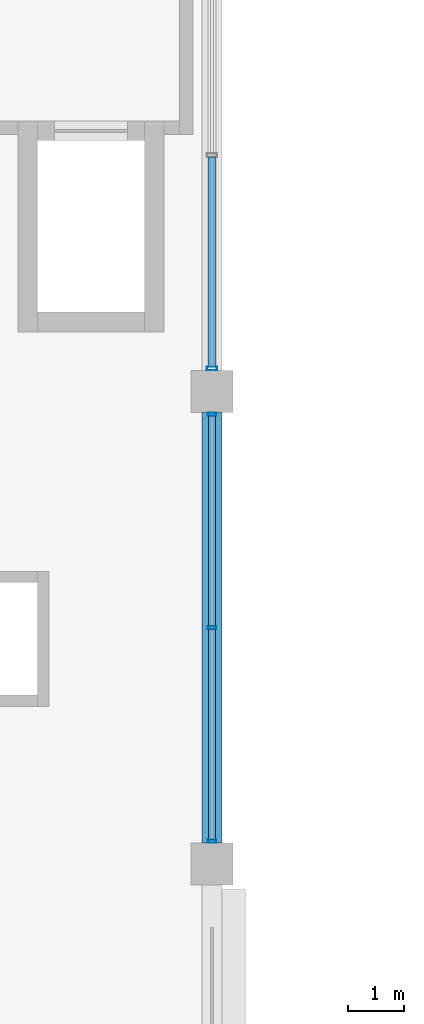
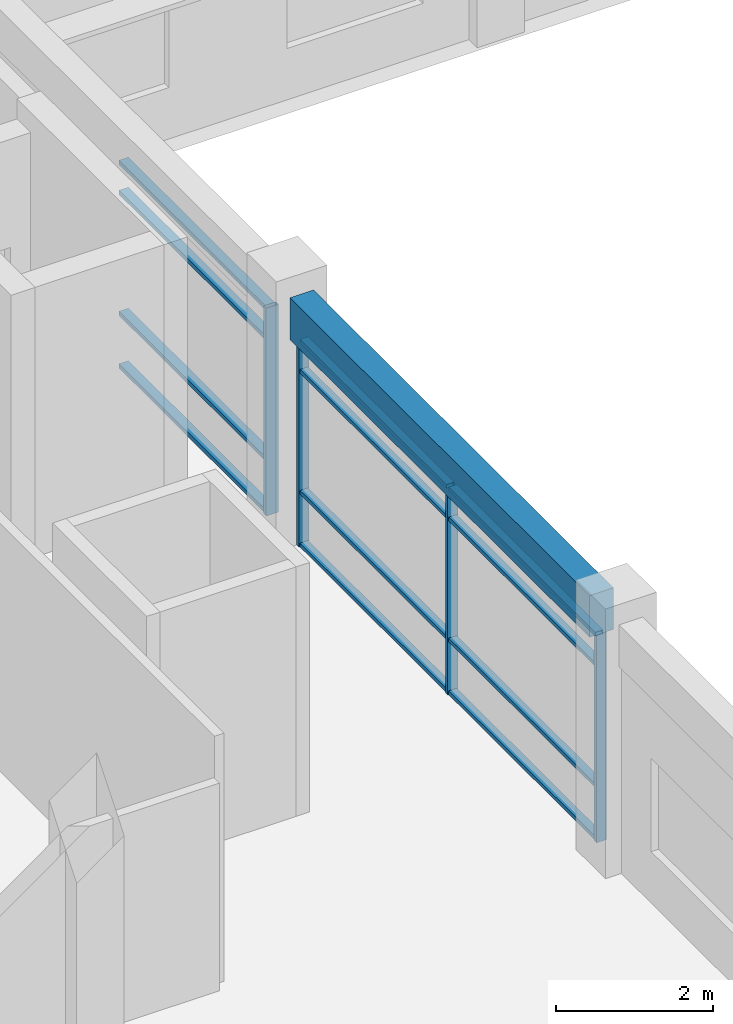
# One storey, part 2 of 53: 16 members, 1 beam, 2 elements without a shape of their own.
"""IFC4 building model written with IfcOpenShell, lengths in metres."""

import ifcopenshell
import ifcopenshell.guid

model = None  # the IFC model being written
_history = None  # IfcOwnerHistory: only IFC2X3 demands one
_inside = {}  # id of a spatial element -> (the spatial element, [elements in it])
_under = {}  # id of a project, library or spatial element -> (it, [spatial elements below it])
_declared = {}  # id of a project -> (the project, [libraries it declares])
_typed = {}  # id of a type object -> (the type object, [elements of that type])
_made_of = {}  # id of a material, layer set ... -> (it, [elements and type objects made of it])


def new_model(schema):
    """Start an empty IFC model of exactly this schema.

    Asked for "IFC4X3", IfcOpenShell would pick the latest addendum, in which some entities
    have other attributes; the version numbers below select the first issue.
    IFC2X3 requires an IfcOwnerHistory on every rooted entity: one is made here for all.
    """
    global model, _history
    if schema == "IFC4X3":
        model = ifcopenshell.file(schema_version=(4, 3, 0, 0))
    else:
        model = ifcopenshell.file(schema=schema)
    _inside.clear()
    _under.clear()
    _declared.clear()
    _typed.clear()
    _made_of.clear()
    _history = None
    if model.schema == "IFC2X3":
        org = make("IfcOrganization", Name="unknown")
        user = make(
            "IfcPersonAndOrganization",
            ThePerson=make("IfcPerson", FamilyName="unknown"),
            TheOrganization=org,
        )
        app = make(
            "IfcApplication",
            ApplicationDeveloper=org,
            Version="unknown",
            ApplicationFullName="unknown",
            ApplicationIdentifier="unknown",
        )
        _history = make(
            "IfcOwnerHistory",
            OwningUser=user,
            OwningApplication=app,
            ChangeAction="ADDED",
            CreationDate=0,
        )
    return model


def make(cls, **values):
    """One entity of the class cls with the attributes given. An attribute that is None is left unset."""
    return model.create_entity(
        cls, **{name: value for name, value in values.items() if value is not None}
    )


def rooted(cls, **values):
    """An entity with a GlobalId (a new one), such as an element, a storey or a relation."""
    return make(cls, GlobalId=ifcopenshell.guid.new(), OwnerHistory=_history, **values)


def si_unit(unit_type, name, prefix=None):
    """IfcSIUnit, for example si_unit("LENGTHUNIT", "METRE", prefix="MILLI")."""
    return make("IfcSIUnit", UnitType=unit_type, Prefix=prefix, Name=name)


def assignment(units):
    """IfcUnitAssignment: the units of a project."""
    return None if units is None else make("IfcUnitAssignment", Units=units)


def point(xyz):
    """IfcCartesianPoint."""
    return None if xyz is None else make("IfcCartesianPoint", Coordinates=xyz)


def direction(xyz):
    """IfcDirection."""
    return None if xyz is None else make("IfcDirection", DirectionRatios=xyz)


def frame(location, z_axis=None, x_axis=None):
    """IfcAxis2Placement3D, a coordinate frame: its origin and axes. An axis left out is left unset."""
    return make(
        "IfcAxis2Placement3D",
        Location=point(location),
        Axis=direction(z_axis),
        RefDirection=direction(x_axis),
    )


def frame_2d(location, x_axis=None):
    """IfcAxis2Placement2D, a coordinate frame in the plane: its origin and x axis."""
    return make(
        "IfcAxis2Placement2D", Location=point(location), RefDirection=direction(x_axis)
    )


def origin():
    """The frame at (0, 0, 0) with its axes left unset."""
    return frame((0.0, 0.0, 0.0))


def origin_2d():
    """The frame at (0, 0) in the plane with its x axis left unset."""
    return frame_2d((0.0, 0.0))


def place(relative_to, where):
    """IfcLocalPlacement: puts the frame where relative to a parent placement (None: the world)."""
    return make(
        "IfcLocalPlacement", PlacementRelTo=relative_to, RelativePlacement=where
    )


def context(
    kind, dimensions, precision=None, world=None, true_north=None, identifier=None
):
    """IfcGeometricRepresentationContext, for example the 3D "Model" context."""
    return make(
        "IfcGeometricRepresentationContext",
        ContextIdentifier=identifier,
        ContextType=kind,
        CoordinateSpaceDimension=dimensions,
        Precision=precision,
        WorldCoordinateSystem=world,
        TrueNorth=true_north,
    )


def subcontext(parent, identifier, kind, view, scale=None):
    """IfcGeometricRepresentationSubContext, for example "Body" below "Model"."""
    return make(
        "IfcGeometricRepresentationSubContext",
        ContextIdentifier=identifier,
        ContextType=kind,
        ParentContext=parent,
        TargetScale=scale,
        TargetView=view,
    )


def project(units=None, contexts=None):
    """IfcProject with its units and contexts."""
    return rooted(
        "IfcProject",
        Name="project",
        RepresentationContexts=contexts,
        UnitsInContext=assignment(units),
    )


def spatial(cls, under=None, at=None, **own):
    """A site, building, storey or space (cls), placed at a placement, below another one or the project."""
    s = rooted(cls, ObjectPlacement=at, **own)
    if under is not None:
        _under.setdefault(under.id(), (under, []))[1].append(s)
    return s


def profile(cls, at=None, kind="AREA", **sizes):
    """A parametric profile (cls). Its sizes go by their IFC names, for example OverallWidth=200.0."""
    return make(cls, ProfileType=kind, Position=at, **sizes)


def rectangle(**sizes):
    """IfcRectangleProfileDef."""
    return profile("IfcRectangleProfileDef", **sizes)


def hollow_rectangle(**sizes):
    """IfcRectangleHollowProfileDef."""
    return profile("IfcRectangleHollowProfileDef", **sizes)


def extrude(swept, where, along, depth):
    """IfcExtrudedAreaSolid: the profile swept, set in the frame where, extruded along a direction by depth."""
    return make(
        "IfcExtrudedAreaSolid",
        SweptArea=swept,
        Position=where,
        ExtrudedDirection=direction(along),
        Depth=depth,
    )


def shape(context_of_items, identifier, shape_type, items):
    """IfcShapeRepresentation: the items that make up one representation, for example the "Body"."""
    return make(
        "IfcShapeRepresentation",
        ContextOfItems=context_of_items,
        RepresentationIdentifier=identifier,
        RepresentationType=shape_type,
        Items=items,
    )


def material(Name=None, Category=None):
    """IfcMaterial."""
    return make("IfcMaterial", Name=Name, Category=Category)


def material_profile(
    of_material, cross_section, Name=None, Category=None, Priority=None
):
    """IfcMaterialProfile: a cross section and its material."""
    return make(
        "IfcMaterialProfile",
        Name=Name,
        Material=of_material,
        Profile=cross_section,
        Priority=Priority,
        Category=Category,
    )


def profile_set(profiles, Name=None, composite=None):
    """IfcMaterialProfileSet."""
    return make(
        "IfcMaterialProfileSet",
        Name=Name,
        MaterialProfiles=profiles,
        CompositeProfile=composite,
    )


def made_of(thing, what):
    """Note that an element or type object is made of a material, layer set ...; save() writes the relation."""
    if what is not None:
        _made_of.setdefault(what.id(), (what, []))[1].append(thing)
    return thing


def type_object(cls, material=None, **own):
    """A type object (cls), such as IfcWallType, which elements share."""
    return made_of(rooted(cls, **own), material)


def element(
    cls,
    number,
    at=None,
    inside=None,
    cuts=None,
    type_object=None,
    material=None,
    context=None,
    identifier="Body",
    shape_type=None,
    held_by="IfcProductDefinitionShape",
    body=None,
    shapes=None,
    **own,
):
    """One element of the class cls, such as IfcWall. Its Tag is "e" and its number.

    at: its placement. inside: the storey or other place that contains it. cuts: it is an
    opening in that element (IfcRelVoidsElement). A single representation is given by context,
    identifier, shape_type and body (its items); several are given by shapes. held_by: the class
    of the entity that holds the representations. save() writes the other relations.
    """
    e = rooted(cls, Tag="e%d" % number, ObjectPlacement=at, **own)
    if body is not None:
        shapes = [shape(context, identifier, shape_type, body)]
    if shapes is not None:
        e.Representation = make(held_by, Representations=shapes)
    if inside is not None:
        _inside.setdefault(inside.id(), (inside, []))[1].append(e)
    if cuts is not None:
        rooted(
            "IfcRelVoidsElement", RelatingBuildingElement=cuts, RelatedOpeningElement=e
        )
    if type_object is not None:
        _typed.setdefault(type_object.id(), (type_object, []))[1].append(e)
    return made_of(e, material)


def aggregate(whole, parts):
    """IfcRelAggregates: a whole, such as a stair, and the parts it consists of."""
    return rooted("IfcRelAggregates", RelatingObject=whole, RelatedObjects=parts)


def save(model, path):
    """Write the relations noted so far, then the file.

    IfcRelAggregates (storeys below a building ...), IfcRelContainedInSpatialStructure (elements
    in a storey), IfcRelDefinesByType, IfcRelAssociatesMaterial and IfcRelDeclares: one each for
    every whole, place, type object, material and project.
    """
    for whole, parts in _under.values():
        aggregate(whole, parts)
    for where, things in _inside.values():
        rooted(
            "IfcRelContainedInSpatialStructure",
            RelatedElements=things,
            RelatingStructure=where,
        )
    for kind, things in _typed.values():
        rooted("IfcRelDefinesByType", RelatedObjects=things, RelatingType=kind)
    for what, things in _made_of.values():
        rooted("IfcRelAssociatesMaterial", RelatedObjects=things, RelatingMaterial=what)
    for by, libraries in _declared.values():
        rooted("IfcRelDeclares", RelatingContext=by, RelatedDefinitions=libraries)
    model.write(path)


model = new_model("IFC4")

# Units and contexts
model_context = context("Model", 3, precision=1e-05, world=origin(), true_north=direction((0.0, 1.0)))
body_context = subcontext(model_context, "Body", "Model", "MODEL_VIEW")
ifc_project = project(units=[si_unit("LENGTHUNIT", "METRE"), si_unit("AREAUNIT", "SQUARE_METRE"), si_unit("VOLUMEUNIT", "CUBIC_METRE"), si_unit("PLANEANGLEUNIT", "RADIAN"), si_unit("MASSUNIT", "GRAM", prefix="KILO"), si_unit("THERMODYNAMICTEMPERATUREUNIT", "KELVIN"), si_unit("POWERUNIT", "WATT")], contexts=[model_context])

# Site, building, storey
site_placement = place(None, origin())
site = spatial("IfcSite", under=ifc_project, at=site_placement, CompositionType="ELEMENT")
building_placement = place(site_placement, origin())
building = spatial("IfcBuilding", under=site, at=building_placement, Name="Srebrne Nadtorze General Hospital", CompositionType="ELEMENT")
storey_placement = place(building_placement, frame((0.0, 0.0, 18.0)))
storey = spatial("IfcBuildingStorey", under=building, at=storey_placement, Name="L04", CompositionType="ELEMENT", Elevation=18.0)

# Curtain wall, members
ifc_material_1 = material(Name="Anodised Aluminium", Category="aluminium")
curtain_wall_type = type_object("IfcCurtainWallType", Name="Unitised curtain wall 7650x3235", PredefinedType="NOTDEFINED", material=ifc_material_1)
curtain_wall_1_placement = place(storey_placement, origin())
curtain_wall_1 = element("IfcCurtainWall", 1, at=curtain_wall_1_placement, inside=storey, type_object=curtain_wall_type, Name="Curtain wall CW-106", PredefinedType="NOTDEFINED")
ifc_material_2 = material(Name="Anodised Aluminium", Category="aluminium")
ifc_material_profile_1 = material_profile(ifc_material_2, hollow_rectangle(XDim=0.06005859375, YDim=0.14990234375, WallThickness=0.00390625, at=origin_2d()), Name="AL-MUL-60x150")
ifc_profile_set_1 = profile_set([ifc_material_profile_1], Name="Anodised Aluminium")
member_type_1 = type_object("IfcMemberType", Name="Curtain mullion 60x150", PredefinedType="MULLION", material=ifc_profile_set_1)
member_1_placement = place(storey_placement, frame((54.60009765625, 34.0048828125, 0.0), z_axis=(0.0, 0.0, 1.0), x_axis=(0.0, 1.0, 0.0)))
member_1 = element("IfcMember", 2, at=member_1_placement, type_object=member_type_1, Name="CW-106 mullion 1", PredefinedType="MULLION", context=body_context, shape_type="SweptSolid", body=[
    extrude(hollow_rectangle(XDim=0.06005859375, YDim=0.14990234375, WallThickness=0.00390625, at=origin_2d()), origin(), (0.0, 0.0, 1.0), 3.235107421875),
])
member_2_placement = place(storey_placement, frame((54.60009765625, 37.800048828125, 0.0), z_axis=(0.0, 0.0, 1.0), x_axis=(0.0, 1.0, 0.0)))
member_2 = element("IfcMember", 3, at=member_2_placement, type_object=member_type_1, Name="CW-106 mullion 2", PredefinedType="MULLION", context=body_context, shape_type="SweptSolid", body=[
    extrude(hollow_rectangle(XDim=0.06005859375, YDim=0.14990234375, WallThickness=0.00390625, at=origin_2d()), origin(), (0.0, 0.0, 1.0), 3.235107421875),
])
member_3_placement = place(storey_placement, frame((54.60009765625, 41.594970703125, 0.0), z_axis=(0.0, 0.0, 1.0), x_axis=(0.0, 1.0, 0.0)))
member_3 = element("IfcMember", 4, at=member_3_placement, type_object=member_type_1, Name="CW-106 mullion 3", PredefinedType="MULLION", context=body_context, shape_type="SweptSolid", body=[
    extrude(hollow_rectangle(XDim=0.06005859375, YDim=0.14990234375, WallThickness=0.00390625, at=origin_2d()), origin(), (0.0, 0.0, 1.0), 3.235107421875),
])

# Curtain wall, member
curtain_wall_2_placement = place(storey_placement, origin())
curtain_wall_2 = element("IfcCurtainWall", 5, at=curtain_wall_2_placement, inside=storey, type_object=curtain_wall_type, Name="Curtain wall CW-107", PredefinedType="NOTDEFINED")
ifc_material_3 = material(Name="Anodised Aluminium", Category="aluminium")
ifc_material_profile_2 = material_profile(ifc_material_3, hollow_rectangle(XDim=0.06494140625, YDim=0.179931640625, WallThickness=0.00390625, at=origin_2d()), Name="AL-MUL-65x180")
ifc_profile_set_2 = profile_set([ifc_material_profile_2], Name="Anodised Aluminium")
member_type_2 = type_object("IfcMemberType", Name="Curtain mullion 65x180", PredefinedType="MULLION", material=ifc_profile_set_2)
member_4_placement = place(storey_placement, frame((54.60009765625, 42.407470703125, 0.0), z_axis=(0.0, 0.0, 1.0), x_axis=(0.0, 1.0, 0.0)))
member_4 = element("IfcMember", 6, at=member_4_placement, type_object=member_type_2, Name="CW-107 mullion 1", PredefinedType="MULLION", context=body_context, shape_type="SweptSolid", body=[
    extrude(hollow_rectangle(XDim=0.06494140625, YDim=0.179931640625, WallThickness=0.00390625, at=origin_2d()), origin(), (0.0, 0.0, 1.0), 3.235107421875),
])

# Member
ifc_material_4 = material(Name="Anodised Aluminium", Category="aluminium")
ifc_material_profile_3 = material_profile(ifc_material_4, hollow_rectangle(XDim=0.06005859375, YDim=0.1201171875, WallThickness=0.00390625, at=origin_2d()), Name="AL-TRN-60x120")
ifc_profile_set_3 = profile_set([ifc_material_profile_3], Name="Anodised Aluminium")
member_type_3 = type_object("IfcMemberType", Name="Curtain transom 60x120", PredefinedType="USERDEFINED", material=ifc_profile_set_3)
member_5_placement = place(storey_placement, frame((54.60009765625, 34.034912109375, 0.030029296875), z_axis=(0.0, 1.0, 0.0), x_axis=(0.0, 0.0, 1.0)))
member_5 = element("IfcMember", 7, at=member_5_placement, type_object=member_type_3, Name="CW-106 transom 1.1", ObjectType="TRANSOM", PredefinedType="USERDEFINED", context=body_context, shape_type="SweptSolid", body=[
    extrude(hollow_rectangle(XDim=0.06005859375, YDim=0.1201171875, WallThickness=0.00390625, at=origin_2d()), origin(), (0.0, 0.0, 1.0), 3.735107421875),
])

member_6_placement = place(storey_placement, frame((54.60009765625, 34.034912109375, 0.85009765625), z_axis=(0.0, 1.0, 0.0), x_axis=(0.0, 0.0, 1.0)))
member_6 = element("IfcMember", 8, at=member_6_placement, type_object=member_type_3, Name="CW-106 transom 1.2", ObjectType="TRANSOM", PredefinedType="USERDEFINED", context=body_context, shape_type="SweptSolid", body=[
    extrude(hollow_rectangle(XDim=0.06005859375, YDim=0.1201171875, WallThickness=0.00390625, at=origin_2d()), origin(), (0.0, 0.0, 1.0), 3.735107421875),
])

member_7_placement = place(storey_placement, frame((54.60009765625, 34.034912109375, 2.735107421875), z_axis=(0.0, 1.0, 0.0), x_axis=(0.0, 0.0, 1.0)))
member_7 = element("IfcMember", 9, at=member_7_placement, type_object=member_type_3, Name="CW-106 transom 1.3", ObjectType="TRANSOM", PredefinedType="USERDEFINED", context=body_context, shape_type="SweptSolid", body=[
    extrude(hollow_rectangle(XDim=0.06005859375, YDim=0.1201171875, WallThickness=0.00390625, at=origin_2d()), origin(), (0.0, 0.0, 1.0), 3.735107421875),
])

member_8_placement = place(storey_placement, frame((54.60009765625, 34.034912109375, 3.205078125), z_axis=(0.0, 1.0, 0.0), x_axis=(0.0, 0.0, 1.0)))
member_8 = element("IfcMember", 10, at=member_8_placement, type_object=member_type_3, Name="CW-106 transom 1.4", ObjectType="TRANSOM", PredefinedType="USERDEFINED", context=body_context, shape_type="SweptSolid", body=[
    extrude(hollow_rectangle(XDim=0.06005859375, YDim=0.1201171875, WallThickness=0.00390625, at=origin_2d()), origin(), (0.0, 0.0, 1.0), 3.735107421875),
])

member_9_placement = place(storey_placement, frame((54.60009765625, 37.830078125, 0.030029296875), z_axis=(0.0, 1.0, 0.0), x_axis=(0.0, 0.0, 1.0)))
member_9 = element("IfcMember", 11, at=member_9_placement, type_object=member_type_3, Name="CW-106 transom 2.1", ObjectType="TRANSOM", PredefinedType="USERDEFINED", context=body_context, shape_type="SweptSolid", body=[
    extrude(hollow_rectangle(XDim=0.06005859375, YDim=0.1201171875, WallThickness=0.00390625, at=origin_2d()), origin(), (0.0, 0.0, 1.0), 3.73486328125),
])

member_10_placement = place(storey_placement, frame((54.60009765625, 37.830078125, 0.85009765625), z_axis=(0.0, 1.0, 0.0), x_axis=(0.0, 0.0, 1.0)))
member_10 = element("IfcMember", 12, at=member_10_placement, type_object=member_type_3, Name="CW-106 transom 2.2", ObjectType="TRANSOM", PredefinedType="USERDEFINED", context=body_context, shape_type="SweptSolid", body=[
    extrude(hollow_rectangle(XDim=0.06005859375, YDim=0.1201171875, WallThickness=0.00390625, at=origin_2d()), origin(), (0.0, 0.0, 1.0), 3.73486328125),
])

member_11_placement = place(storey_placement, frame((54.60009765625, 37.830078125, 2.735107421875), z_axis=(0.0, 1.0, 0.0), x_axis=(0.0, 0.0, 1.0)))
member_11 = element("IfcMember", 13, at=member_11_placement, type_object=member_type_3, Name="CW-106 transom 2.3", ObjectType="TRANSOM", PredefinedType="USERDEFINED", context=body_context, shape_type="SweptSolid", body=[
    extrude(hollow_rectangle(XDim=0.06005859375, YDim=0.1201171875, WallThickness=0.00390625, at=origin_2d()), origin(), (0.0, 0.0, 1.0), 3.73486328125),
])

member_12_placement = place(storey_placement, frame((54.60009765625, 37.830078125, 3.205078125), z_axis=(0.0, 1.0, 0.0), x_axis=(0.0, 0.0, 1.0)))
member_12 = element("IfcMember", 14, at=member_12_placement, type_object=member_type_3, Name="CW-106 transom 2.4", ObjectType="TRANSOM", PredefinedType="USERDEFINED", context=body_context, shape_type="SweptSolid", body=[
    extrude(hollow_rectangle(XDim=0.06005859375, YDim=0.1201171875, WallThickness=0.00390625, at=origin_2d()), origin(), (0.0, 0.0, 1.0), 3.73486328125),
])

aggregate(curtain_wall_1, [member_1, member_2, member_3, member_5, member_6, member_7, member_8, member_9, member_10, member_11, member_12])

ifc_material_5 = material(Name="Anodised Aluminium", Category="aluminium")
ifc_material_profile_4 = material_profile(ifc_material_5, hollow_rectangle(XDim=0.06494140625, YDim=0.139892578125, WallThickness=0.00390625, at=origin_2d()), Name="AL-TRN-65x140")
ifc_profile_set_4 = profile_set([ifc_material_profile_4], Name="Anodised Aluminium")
member_type_4 = type_object("IfcMemberType", Name="Curtain transom 65x140", PredefinedType="USERDEFINED", material=ifc_profile_set_4)
member_13_placement = place(storey_placement, frame((54.60009765625, 42.43994140625, 0.032470703125), z_axis=(0.0, 1.0, 0.0), x_axis=(0.0, 0.0, 1.0)))
member_13 = element("IfcMember", 15, at=member_13_placement, type_object=member_type_4, Name="CW-107 transom 1.1", ObjectType="TRANSOM", PredefinedType="USERDEFINED", context=body_context, shape_type="SweptSolid", body=[
    extrude(hollow_rectangle(XDim=0.06494140625, YDim=0.139892578125, WallThickness=0.00390625, at=origin_2d()), origin(), (0.0, 0.0, 1.0), 3.7275390625),
])

member_14_placement = place(storey_placement, frame((54.60009765625, 42.43994140625, 0.85009765625), z_axis=(0.0, 1.0, 0.0), x_axis=(0.0, 0.0, 1.0)))
member_14 = element("IfcMember", 16, at=member_14_placement, type_object=member_type_4, Name="CW-107 transom 1.2", ObjectType="TRANSOM", PredefinedType="USERDEFINED", context=body_context, shape_type="SweptSolid", body=[
    extrude(hollow_rectangle(XDim=0.06494140625, YDim=0.139892578125, WallThickness=0.00390625, at=origin_2d()), origin(), (0.0, 0.0, 1.0), 3.7275390625),
])

member_15_placement = place(storey_placement, frame((54.60009765625, 42.43994140625, 2.735107421875), z_axis=(0.0, 1.0, 0.0), x_axis=(0.0, 0.0, 1.0)))
member_15 = element("IfcMember", 17, at=member_15_placement, type_object=member_type_4, Name="CW-107 transom 1.3", ObjectType="TRANSOM", PredefinedType="USERDEFINED", context=body_context, shape_type="SweptSolid", body=[
    extrude(hollow_rectangle(XDim=0.06494140625, YDim=0.139892578125, WallThickness=0.00390625, at=origin_2d()), origin(), (0.0, 0.0, 1.0), 3.7275390625),
])

member_16_placement = place(storey_placement, frame((54.60009765625, 42.43994140625, 3.202392578125), z_axis=(0.0, 1.0, 0.0), x_axis=(0.0, 0.0, 1.0)))
member_16 = element("IfcMember", 18, at=member_16_placement, type_object=member_type_4, Name="CW-107 transom 1.4", ObjectType="TRANSOM", PredefinedType="USERDEFINED", context=body_context, shape_type="SweptSolid", body=[
    extrude(hollow_rectangle(XDim=0.06494140625, YDim=0.139892578125, WallThickness=0.00390625, at=origin_2d()), origin(), (0.0, 0.0, 1.0), 3.7275390625),
])

aggregate(curtain_wall_2, [member_4, member_13, member_14, member_15, member_16])

# Beam
ifc_material_6 = material(Name="Concrete C35/45", Category="concrete")
ifc_material_profile_5 = material_profile(ifc_material_6, rectangle(XDim=0.35009765625, YDim=0.64990234375, at=origin_2d()), Name="RC-BM-350x650")
ifc_profile_set_5 = profile_set([ifc_material_profile_5], Name="Concrete C35/45")
beam_type = type_object("IfcBeamType", Name="Edge beam RC 350x650", PredefinedType="BEAM", material=ifc_profile_set_5)
beam_placement = place(storey_placement, frame((54.60009765625, 33.97509765625, 3.56005859375), z_axis=(0.0, 1.0, 0.0), x_axis=(-1.0, 0.0, 0.0)))
element("IfcBeam", 19, at=beam_placement, inside=storey, type_object=beam_type, Name="Beam BM-L04-Y-0950", PredefinedType="BEAM", context=body_context, shape_type="SweptSolid", body=[
    extrude(rectangle(XDim=0.35009765625, YDim=0.64990234375, at=origin_2d()), origin(), (0.0, 0.0, 1.0), 7.64990234375),
])

save(model, "model.ifc")
